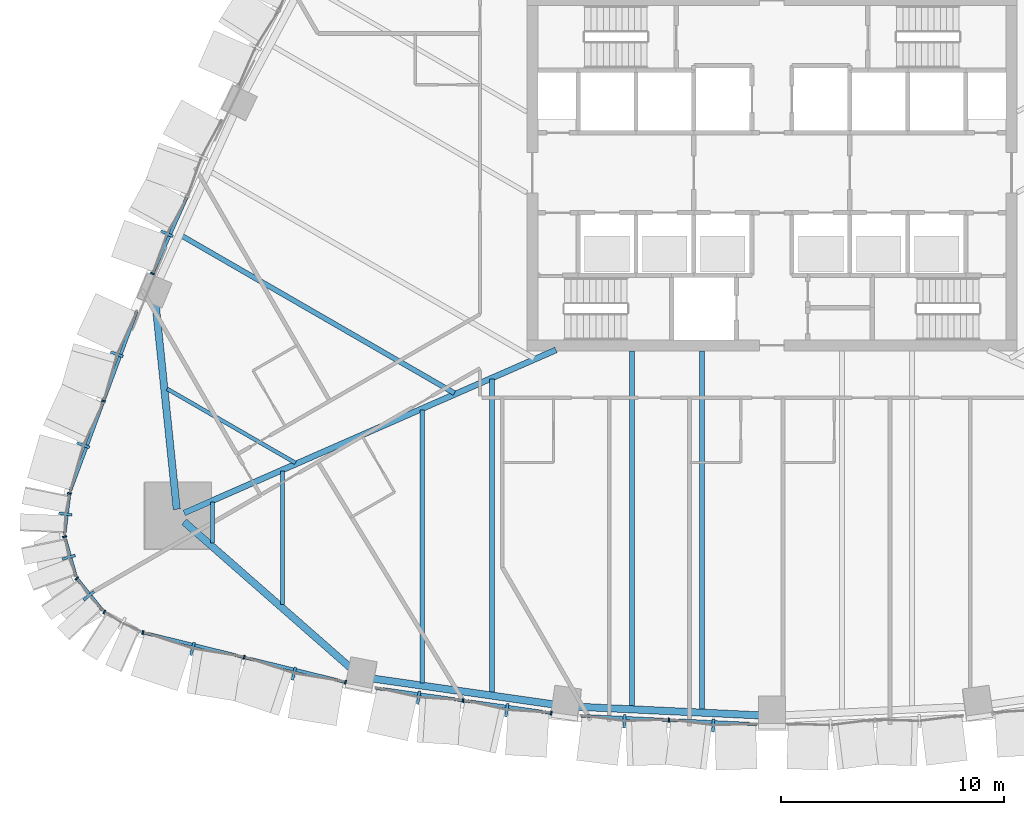
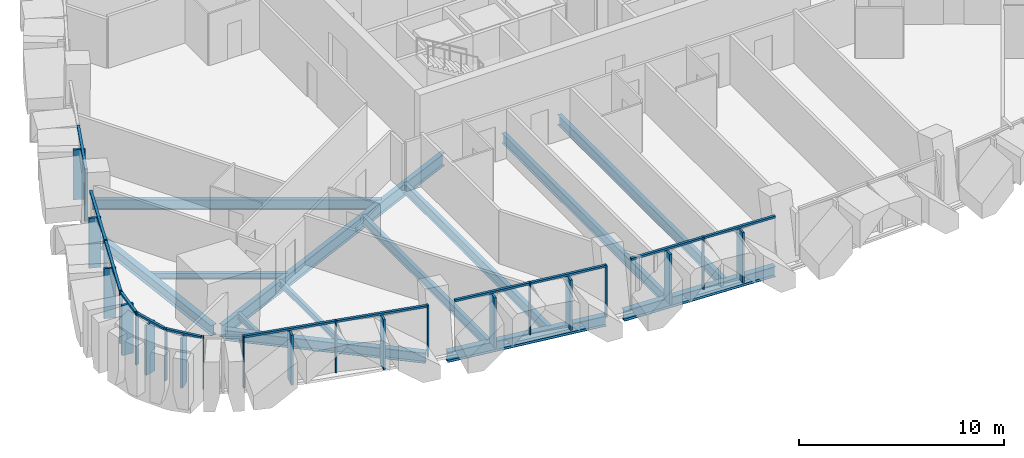
# One storey, part 2 of 22: 36 members, 13 beams, 9 elements without a shape of their own.
"""IFC4 building model written with IfcOpenShell, lengths in metres."""

from ifc_helpers import new_model, si_unit, direction, frame, origin, origin_2d, place, context, subcontext, project, spatial, rectangle, i_section, extrude, material, layer, layer_set, material_profile, profile_set, type_object, element, aggregate, save


model = new_model("IFC4")

# Units and contexts
model_context = context("Model", 3, precision=1e-05, world=origin(), true_north=direction((0.0, 1.0)))
body_context = subcontext(model_context, "Body", "Model", "MODEL_VIEW")
ifc_project = project(units=[si_unit("LENGTHUNIT", "METRE"), si_unit("AREAUNIT", "SQUARE_METRE"), si_unit("VOLUMEUNIT", "CUBIC_METRE"), si_unit("PLANEANGLEUNIT", "RADIAN"), si_unit("MASSUNIT", "GRAM", prefix="KILO")], contexts=[model_context])

# Site, building, storey
site_placement = place(None, origin())
site = spatial("IfcSite", under=ifc_project, at=site_placement, CompositionType="ELEMENT")
building_placement = place(site_placement, origin())
building = spatial("IfcBuilding", under=site, at=building_placement, Name="Sierra Prisma Convention Tower", CompositionType="ELEMENT")
storey_placement = place(building_placement, frame((0.0, 0.0, 66.5)))
storey = spatial("IfcBuildingStorey", under=building, at=storey_placement, Name="L12", CompositionType="ELEMENT", Elevation=66.5)

# Curtain wall, members
ifc_material_1 = material(Name="Aluminium and glass curtain wall", Category="aluminium")
ifc_layer = layer(ifc_material_1, 0.179931640625)
ifc_layer_set = layer_set([ifc_layer], Name="CW-2 Faceted crystal curtain wall")
curtain_wall_type = type_object("IfcCurtainWallType", Name="CW-2 Faceted crystal curtain wall", PredefinedType="NOTDEFINED", material=ifc_layer_set)
curtain_wall_1_placement = place(storey_placement, origin())
curtain_wall_1 = element("IfcCurtainWall", 1, at=curtain_wall_1_placement, inside=storey, type_object=curtain_wall_type, Name="CW-2 S1 L12", PredefinedType="NOTDEFINED")
ifc_material_2 = material(Name="Aluminium 6063-T6 bronze anodised", Category="aluminium")
ifc_material_profile_1 = material_profile(ifc_material_2, rectangle(XDim=0.1201171875, YDim=0.60009765625, at=origin_2d()), Name="ALU RIDGE BLADE 120x600")
ifc_profile_set_1 = profile_set([ifc_material_profile_1], Name="Aluminium 6063-T6 bronze anodised")
member_type_1 = type_object("IfcMemberType", Name="CW hip bronze", PredefinedType="MULLION", material=ifc_profile_set_1)
member_1_placement = place(storey_placement, frame((-25.99755859375, -21.36474609375, 0.0), z_axis=(0.0, 0.0, 1.0), x_axis=(0.971254936274, -0.238041695432, 0.0)))
member_1 = element("IfcMember", 2, at=member_1_placement, type_object=member_type_1, Name="CW-2 ridge S1.1", PredefinedType="MULLION", context=body_context, shape_type="SweptSolid", body=[
    extrude(rectangle(XDim=0.1201171875, YDim=0.60009765625, at=origin_2d()), origin(), (0.0, 0.0, 1.0), 2.97998046875),
])
member_2_placement = place(storey_placement, frame((-21.4501953125, -22.479248046875, 0.0), z_axis=(0.0, 0.0, 1.0), x_axis=(0.971254936274, -0.238041695432, 0.0)))
member_2 = element("IfcMember", 3, at=member_2_placement, type_object=member_type_1, Name="CW-2 ridge S1.2", PredefinedType="MULLION", context=body_context, shape_type="SweptSolid", body=[
    extrude(rectangle(XDim=0.1201171875, YDim=0.60009765625, at=origin_2d()), origin(), (0.0, 0.0, 1.0), 2.97998046875),
])

curtain_wall_2_placement = place(storey_placement, origin())
curtain_wall_2 = element("IfcCurtainWall", 4, at=curtain_wall_2_placement, inside=storey, type_object=curtain_wall_type, Name="CW-2 S2 L12", PredefinedType="NOTDEFINED")
member_3_placement = place(storey_placement, frame((-15.85888671875, -23.5537109375, 0.0), z_axis=(0.0, 0.0, 1.0), x_axis=(0.989998282909, -0.141079409682, 0.0)))
member_3 = element("IfcMember", 5, at=member_3_placement, type_object=member_type_1, Name="CW-2 ridge S2.1", PredefinedType="MULLION", context=body_context, shape_type="SweptSolid", body=[
    extrude(rectangle(XDim=0.1201171875, YDim=0.60009765625, at=origin_2d()), origin(), (0.0, 0.0, 1.0), 2.97998046875),
])
member_4_placement = place(storey_placement, frame((-11.9013671875, -24.11767578125, 0.0), z_axis=(0.0, 0.0, 1.0), x_axis=(0.989998282909, -0.141079409682, 0.0)))
member_4 = element("IfcMember", 6, at=member_4_placement, type_object=member_type_1, Name="CW-2 ridge S2.2", PredefinedType="MULLION", context=body_context, shape_type="SweptSolid", body=[
    extrude(rectangle(XDim=0.1201171875, YDim=0.60009765625, at=origin_2d()), origin(), (0.0, 0.0, 1.0), 2.97998046875),
])

curtain_wall_3_placement = place(storey_placement, origin())
curtain_wall_3 = element("IfcCurtainWall", 7, at=curtain_wall_3_placement, inside=storey, type_object=curtain_wall_type, Name="CW-2 S3 L12", PredefinedType="NOTDEFINED")
member_5_placement = place(storey_placement, frame((-6.6220703125, -24.618408203125, 0.0), z_axis=(0.0, 0.0, 1.0), x_axis=(0.998890441381, -0.047094438284, 0.0)))
member_5 = element("IfcMember", 8, at=member_5_placement, type_object=member_type_1, Name="CW-2 ridge S3.1", PredefinedType="MULLION", context=body_context, shape_type="SweptSolid", body=[
    extrude(rectangle(XDim=0.1201171875, YDim=0.60009765625, at=origin_2d()), origin(), (0.0, 0.0, 1.0), 2.97998046875),
])
member_6_placement = place(storey_placement, frame((-2.635009765625, -24.806396484375, 0.0), z_axis=(0.0, 0.0, 1.0), x_axis=(0.998890441381, -0.047094438284, 0.0)))
member_6 = element("IfcMember", 9, at=member_6_placement, type_object=member_type_1, Name="CW-2 ridge S3.2", PredefinedType="MULLION", context=body_context, shape_type="SweptSolid", body=[
    extrude(rectangle(XDim=0.1201171875, YDim=0.60009765625, at=origin_2d()), origin(), (0.0, 0.0, 1.0), 2.97998046875),
])

# Curtain wall, member
curtain_wall_4_placement = place(storey_placement, origin())
curtain_wall_4 = element("IfcCurtainWall", 10, at=curtain_wall_4_placement, inside=storey, type_object=curtain_wall_type, Name="CW-2 NW5 L12", PredefinedType="NOTDEFINED")
member_7_placement = place(storey_placement, frame((-27.151611328125, -2.7373046875, 0.0), z_axis=(0.0, 0.0, 1.0), x_axis=(-0.409132433355, -0.91247501444, 0.0)))
member_7 = element("IfcMember", 11, at=member_7_placement, type_object=member_type_1, Name="CW-2 ridge NW5.2", PredefinedType="MULLION", context=body_context, shape_type="SweptSolid", body=[
    extrude(rectangle(XDim=0.1201171875, YDim=0.60009765625, at=origin_2d()), origin(), (0.0, 0.0, 1.0), 2.97998046875),
])

# Curtain wall, members
curtain_wall_5_placement = place(storey_placement, origin())
curtain_wall_5 = element("IfcCurtainWall", 12, at=curtain_wall_5_placement, inside=storey, type_object=curtain_wall_type, Name="CW-2 NW6 L12", PredefinedType="NOTDEFINED")
member_8_placement = place(storey_placement, frame((-29.395751953125, -8.1474609375, 0.0), z_axis=(0.0, 0.0, 1.0), x_axis=(-0.347364051978, -0.937730353243, 0.0)))
member_8 = element("IfcMember", 13, at=member_8_placement, type_object=member_type_1, Name="CW-2 ridge NW6.1", PredefinedType="MULLION", context=body_context, shape_type="SweptSolid", body=[
    extrude(rectangle(XDim=0.1201171875, YDim=0.60009765625, at=origin_2d()), origin(), (0.0, 0.0, 1.0), 2.97998046875),
])
member_9_placement = place(storey_placement, frame((-30.906005859375, -12.224853515625, 0.0), z_axis=(0.0, 0.0, 1.0), x_axis=(-0.347364051978, -0.937730353243, 0.0)))
member_9 = element("IfcMember", 14, at=member_9_placement, type_object=member_type_1, Name="CW-2 ridge NW6.2", PredefinedType="MULLION", context=body_context, shape_type="SweptSolid", body=[
    extrude(rectangle(XDim=0.1201171875, YDim=0.60009765625, at=origin_2d()), origin(), (0.0, 0.0, 1.0), 2.97998046875),
])

# Curtain wall, member
curtain_wall_6_placement = place(storey_placement, origin())
curtain_wall_6 = element("IfcCurtainWall", 15, at=curtain_wall_6_placement, inside=storey, type_object=curtain_wall_type, Name="CW-2 SW1 L12", PredefinedType="NOTDEFINED")
member_10_placement = place(storey_placement, frame((-31.704833984375, -15.317138671875, 0.0), z_axis=(0.0, 0.0, 1.0), x_axis=(-0.121043372111, -0.992647219342, 0.0)))
member_10 = element("IfcMember", 16, at=member_10_placement, type_object=member_type_1, Name="CW-2 ridge SW1.1", PredefinedType="MULLION", context=body_context, shape_type="SweptSolid", body=[
    extrude(rectangle(XDim=0.1201171875, YDim=0.60009765625, at=origin_2d()), origin(), (0.0, 0.0, 1.0), 2.97998046875),
])

curtain_wall_7_placement = place(storey_placement, origin())
curtain_wall_7 = element("IfcCurtainWall", 17, at=curtain_wall_7_placement, inside=storey, type_object=curtain_wall_type, Name="CW-2 SW2 L12", PredefinedType="NOTDEFINED")
member_11_placement = place(storey_placement, frame((-31.552001953125, -17.25634765625, 0.0), z_axis=(0.0, 0.0, 1.0), x_axis=(0.27515422925, -0.96140009888, 0.0)))
member_11 = element("IfcMember", 18, at=member_11_placement, type_object=member_type_1, Name="CW-2 ridge SW2.1", PredefinedType="MULLION", context=body_context, shape_type="SweptSolid", body=[
    extrude(rectangle(XDim=0.1201171875, YDim=0.60009765625, at=origin_2d()), origin(), (0.0, 0.0, 1.0), 2.97998046875),
])

curtain_wall_8_placement = place(storey_placement, origin())
curtain_wall_8 = element("IfcCurtainWall", 19, at=curtain_wall_8_placement, inside=storey, type_object=curtain_wall_type, Name="CW-2 SW3 L12", PredefinedType="NOTDEFINED")
member_12_placement = place(storey_placement, frame((-30.65576171875, -18.98291015625, 0.0), z_axis=(0.0, 0.0, 1.0), x_axis=(0.627891516768, -0.778300869311, 0.0)))
member_12 = element("IfcMember", 20, at=member_12_placement, type_object=member_type_1, Name="CW-2 ridge SW3.1", PredefinedType="MULLION", context=body_context, shape_type="SweptSolid", body=[
    extrude(rectangle(XDim=0.1201171875, YDim=0.60009765625, at=origin_2d()), origin(), (0.0, 0.0, 1.0), 2.97998046875),
])

# Member
ifc_material_3 = material(Name="Aluminium 6063-T6 bronze anodised", Category="aluminium")
ifc_material_profile_2 = material_profile(ifc_material_3, rectangle(XDim=0.179931640625, YDim=0.070068359375, at=origin_2d()), Name="ALU MULLION 70x180")
ifc_profile_set_2 = profile_set([ifc_material_profile_2], Name="Aluminium 6063-T6 bronze anodised")
member_type_2 = type_object("IfcMemberType", Name="CW mullion bronze", PredefinedType="MULLION", material=ifc_profile_set_2)
member_13_placement = place(storey_placement, frame((-28.22802734375, -20.63134765625, 0.0), z_axis=(0.0, 0.0, 1.0), x_axis=(0.238041695432, 0.971254936274, 0.0)))
member_13 = element("IfcMember", 21, at=member_13_placement, type_object=member_type_2, Name="CW-1 mullion S1.1", PredefinedType="MULLION", context=body_context, shape_type="SweptSolid", body=[
    extrude(rectangle(XDim=0.179931640625, YDim=0.070068359375, at=origin_2d()), origin(), (0.0, 0.0, 1.0), 3.10009765625),
])

member_14_placement = place(storey_placement, frame((-23.6806640625, -21.745849609375, 0.0), z_axis=(0.0, 0.0, 1.0), x_axis=(0.238041695432, 0.971254936274, 0.0)))
member_14 = element("IfcMember", 22, at=member_14_placement, type_object=member_type_2, Name="CW-1 mullion S1.2", PredefinedType="MULLION", context=body_context, shape_type="SweptSolid", body=[
    extrude(rectangle(XDim=0.179931640625, YDim=0.070068359375, at=origin_2d()), origin(), (0.0, 0.0, 1.0), 3.10009765625),
])

member_15_placement = place(storey_placement, frame((-19.133544921875, -22.8603515625, 0.0), z_axis=(0.0, 0.0, 1.0), x_axis=(0.238041695432, 0.971254936274, 0.0)))
member_15 = element("IfcMember", 23, at=member_15_placement, type_object=member_type_2, Name="CW-1 mullion S1.3", PredefinedType="MULLION", context=body_context, shape_type="SweptSolid", body=[
    extrude(rectangle(XDim=0.179931640625, YDim=0.070068359375, at=origin_2d()), origin(), (0.0, 0.0, 1.0), 3.10009765625),
])

member_16_placement = place(storey_placement, frame((-13.8583984375, -23.6826171875, 0.0), z_axis=(0.0, 0.0, 1.0), x_axis=(0.141079409682, 0.989998282909, 0.0)))
member_16 = element("IfcMember", 24, at=member_16_placement, type_object=member_type_2, Name="CW-1 mullion S2.2", PredefinedType="MULLION", context=body_context, shape_type="SweptSolid", body=[
    extrude(rectangle(XDim=0.179931640625, YDim=0.070068359375, at=origin_2d()), origin(), (0.0, 0.0, 1.0), 3.10009765625),
])

member_17_placement = place(storey_placement, frame((-9.900634765625, -24.24658203125, 0.0), z_axis=(0.0, 0.0, 1.0), x_axis=(0.141079409682, 0.989998282909, 0.0)))
member_17 = element("IfcMember", 25, at=member_17_placement, type_object=member_type_2, Name="CW-1 mullion S2.3", PredefinedType="MULLION", context=body_context, shape_type="SweptSolid", body=[
    extrude(rectangle(XDim=0.179931640625, YDim=0.070068359375, at=origin_2d()), origin(), (0.0, 0.0, 1.0), 3.10009765625),
])

member_18_placement = place(storey_placement, frame((-4.621337890625, -24.558349609375, 0.0), z_axis=(0.0, 0.0, 1.0), x_axis=(0.047094438284, 0.998890441381, 0.0)))
member_18 = element("IfcMember", 26, at=member_18_placement, type_object=member_type_2, Name="CW-1 mullion S3.2", PredefinedType="MULLION", context=body_context, shape_type="SweptSolid", body=[
    extrude(rectangle(XDim=0.179931640625, YDim=0.070068359375, at=origin_2d()), origin(), (0.0, 0.0, 1.0), 3.10009765625),
])

member_19_placement = place(storey_placement, frame((-27.794189453125, -4.528076171875, 0.0), z_axis=(0.0, 0.0, 1.0), x_axis=(0.91247501444, -0.409132433355, 0.0)))
member_19 = element("IfcMember", 27, at=member_19_placement, type_object=member_type_2, Name="CW-1 mullion NW5.3", PredefinedType="MULLION", context=body_context, shape_type="SweptSolid", body=[
    extrude(rectangle(XDim=0.179931640625, YDim=0.070068359375, at=origin_2d()), origin(), (0.0, 0.0, 1.0), 3.10009765625),
])

member_20_placement = place(storey_placement, frame((-29.992919921875, -10.24462890625, 0.0), z_axis=(0.0, 0.0, 1.0), x_axis=(0.937730353243, -0.347364051978, 0.0)))
member_20 = element("IfcMember", 28, at=member_20_placement, type_object=member_type_2, Name="CW-1 mullion NW6.2", PredefinedType="MULLION", context=body_context, shape_type="SweptSolid", body=[
    extrude(rectangle(XDim=0.179931640625, YDim=0.070068359375, at=origin_2d()), origin(), (0.0, 0.0, 1.0), 3.10009765625),
])

member_21_placement = place(storey_placement, frame((-31.519775390625, -14.3896484375, 0.0), z_axis=(0.0, 0.0, 1.0), x_axis=(0.992647219342, -0.121043372111, 0.0)))
member_21 = element("IfcMember", 29, at=member_21_placement, type_object=member_type_2, Name="CW-1 mullion SW1.1", PredefinedType="MULLION", context=body_context, shape_type="SweptSolid", body=[
    extrude(rectangle(XDim=0.179931640625, YDim=0.070068359375, at=origin_2d()), origin(), (0.0, 0.0, 1.0), 3.10009765625),
])

member_22_placement = place(storey_placement, frame((-31.74267578125, -16.330078125, 0.0), z_axis=(0.0, 0.0, 1.0), x_axis=(0.96140009888, 0.27515422925, 0.0)))
member_22 = element("IfcMember", 30, at=member_22_placement, type_object=member_type_2, Name="CW-1 mullion SW2.1", PredefinedType="MULLION", context=body_context, shape_type="SweptSolid", body=[
    extrude(rectangle(XDim=0.179931640625, YDim=0.070068359375, at=origin_2d()), origin(), (0.0, 0.0, 1.0), 3.10009765625),
])

member_23_placement = place(storey_placement, frame((-31.192138671875, -18.2041015625, 0.0), z_axis=(0.0, 0.0, 1.0), x_axis=(0.778300869311, 0.627891516768, 0.0)))
member_23 = element("IfcMember", 31, at=member_23_placement, type_object=member_type_2, Name="CW-1 mullion SW3.1", PredefinedType="MULLION", context=body_context, shape_type="SweptSolid", body=[
    extrude(rectangle(XDim=0.179931640625, YDim=0.070068359375, at=origin_2d()), origin(), (0.0, 0.0, 1.0), 3.10009765625),
])

# Curtain wall, member
curtain_wall_9_placement = place(storey_placement, origin())
curtain_wall_9 = element("IfcCurtainWall", 32, at=curtain_wall_9_placement, inside=storey, type_object=curtain_wall_type, Name="CW-2 SW4 L12", PredefinedType="NOTDEFINED")
member_24_placement = place(storey_placement, frame((-29.955322265625, -19.7158203125, 0.0), z_axis=(0.0, 0.0, 1.0), x_axis=(0.472269856557, 0.881454016151, 0.0)))
member_24 = element("IfcMember", 33, at=member_24_placement, type_object=member_type_2, Name="CW-1 mullion SW4.1", PredefinedType="MULLION", context=body_context, shape_type="SweptSolid", body=[
    extrude(rectangle(XDim=0.179931640625, YDim=0.070068359375, at=origin_2d()), origin(), (0.0, 0.0, 1.0), 3.10009765625),
])
aggregate(curtain_wall_9, [member_24])

# Member
ifc_material_4 = material(Name="Aluminium 6063-T6 bronze anodised", Category="aluminium")
ifc_material_profile_3 = material_profile(ifc_material_4, rectangle(XDim=0.139892578125, YDim=0.1201171875, at=origin_2d()), Name="ALU TRANSOM 120x140")
ifc_profile_set_3 = profile_set([ifc_material_profile_3], Name="Aluminium 6063-T6 bronze anodised")
member_type_3 = type_object("IfcMemberType", Name="CW transom bronze", PredefinedType="USERDEFINED", material=ifc_profile_set_3)
member_25_placement = place(storey_placement, frame((-28.194091796875, -20.6396484375, 3.0400390625), z_axis=(0.971250116511, -0.238061360111, 0.0), x_axis=(0.238061360111, 0.971250116511, 0.0)))
member_25 = element("IfcMember", 34, at=member_25_placement, type_object=member_type_3, Name="CW-1 transom S1.1", ObjectType="TRANSOM", PredefinedType="USERDEFINED", context=body_context, shape_type="SweptSolid", body=[
    extrude(rectangle(XDim=0.139892578125, YDim=0.1201171875, at=origin_2d()), origin(), (0.0, 0.0, 1.0), 4.61181640625),
])

member_26_placement = place(storey_placement, frame((-23.646728515625, -21.754150390625, 3.0400390625), z_axis=(0.971262355511, -0.238011421506, 0.0), x_axis=(0.238011421506, 0.971262355511, 0.0)))
member_26 = element("IfcMember", 35, at=member_26_placement, type_object=member_type_3, Name="CW-1 transom S1.2", ObjectType="TRANSOM", PredefinedType="USERDEFINED", context=body_context, shape_type="SweptSolid", body=[
    extrude(rectangle(XDim=0.139892578125, YDim=0.1201171875, at=origin_2d()), origin(), (0.0, 0.0, 1.0), 4.61181640625),
])

aggregate(curtain_wall_1, [member_13, member_14, member_15, member_25, member_1, member_26, member_2])

member_27_placement = place(storey_placement, frame((-17.781494140625, -23.12353515625, 3.0400390625), z_axis=(0.98999543845, -0.1410993687, 0.0), x_axis=(0.1410993687, 0.98999543845, 0.0)))
member_27 = element("IfcMember", 36, at=member_27_placement, type_object=member_type_3, Name="CW-1 transom S2.1", ObjectType="TRANSOM", PredefinedType="USERDEFINED", context=body_context, shape_type="SweptSolid", body=[
    extrude(rectangle(XDim=0.139892578125, YDim=0.1201171875, at=origin_2d()), origin(), (0.0, 0.0, 1.0), 3.927734375),
])

member_28_placement = place(storey_placement, frame((-13.82373046875, -23.6875, 3.0400390625), z_axis=(0.98999543845, -0.1410993687, 0.0), x_axis=(0.1410993687, 0.98999543845, 0.0)))
member_28 = element("IfcMember", 37, at=member_28_placement, type_object=member_type_3, Name="CW-1 transom S2.2", ObjectType="TRANSOM", PredefinedType="USERDEFINED", context=body_context, shape_type="SweptSolid", body=[
    extrude(rectangle(XDim=0.139892578125, YDim=0.1201171875, at=origin_2d()), origin(), (0.0, 0.0, 1.0), 3.927734375),
])

aggregate(curtain_wall_2, [member_16, member_17, member_27, member_3, member_28, member_4])

member_29_placement = place(storey_placement, frame((-8.5732421875, -24.3720703125, 3.0400390625), z_axis=(0.998891678356, -0.047068194268, 0.0), x_axis=(0.047068194268, 0.998891678356, 0.0)))
member_29 = element("IfcMember", 38, at=member_29_placement, type_object=member_type_3, Name="CW-1 transom S3.1", ObjectType="TRANSOM", PredefinedType="USERDEFINED", context=body_context, shape_type="SweptSolid", body=[
    extrude(rectangle(XDim=0.139892578125, YDim=0.1201171875, at=origin_2d()), origin(), (0.0, 0.0, 1.0), 3.92138671875),
])

member_30_placement = place(storey_placement, frame((-4.586181640625, -24.559814453125, 3.0400390625), z_axis=(0.998888749238, -0.04713031558, 0.0), x_axis=(0.04713031558, 0.998888749238, 0.0)))
member_30 = element("IfcMember", 39, at=member_30_placement, type_object=member_type_3, Name="CW-1 transom S3.2", ObjectType="TRANSOM", PredefinedType="USERDEFINED", context=body_context, shape_type="SweptSolid", body=[
    extrude(rectangle(XDim=0.139892578125, YDim=0.1201171875, at=origin_2d()), origin(), (0.0, 0.0, 1.0), 3.92138671875),
])

aggregate(curtain_wall_3, [member_18, member_29, member_5, member_30, member_6])

member_31_placement = place(storey_placement, frame((-26.256103515625, -1.09814453125, 3.0400390625), z_axis=(-0.409134959192, -0.912473881909, 0.0), x_axis=(0.912473881909, -0.409134959192, 0.0)))
member_31 = element("IfcMember", 40, at=member_31_placement, type_object=member_type_3, Name="CW-1 transom NW5.2", ObjectType="TRANSOM", PredefinedType="USERDEFINED", context=body_context, shape_type="SweptSolid", body=[
    extrude(rectangle(XDim=0.139892578125, YDim=0.1201171875, at=origin_2d()), origin(), (0.0, 0.0, 1.0), 3.72412109375),
])

aggregate(curtain_wall_4, [member_19, member_31, member_7])

member_32_placement = place(storey_placement, frame((-28.49462890625, -6.199951171875, 3.0400390625), z_axis=(-0.347399845704, -0.937717093373, 0.0), x_axis=(0.937717093373, -0.347399845704, 0.0)))
member_32 = element("IfcMember", 41, at=member_32_placement, type_object=member_type_3, Name="CW-1 transom NW6.1", ObjectType="TRANSOM", PredefinedType="USERDEFINED", context=body_context, shape_type="SweptSolid", body=[
    extrude(rectangle(XDim=0.139892578125, YDim=0.1201171875, at=origin_2d()), origin(), (0.0, 0.0, 1.0), 4.2783203125),
])

member_33_placement = place(storey_placement, frame((-30.005126953125, -10.277587890625, 3.0400390625), z_axis=(-0.347368255907, -0.937728795968, 0.0), x_axis=(0.937728795968, -0.347368255907, 0.0)))
member_33 = element("IfcMember", 42, at=member_33_placement, type_object=member_type_3, Name="CW-1 transom NW6.2", ObjectType="TRANSOM", PredefinedType="USERDEFINED", context=body_context, shape_type="SweptSolid", body=[
    extrude(rectangle(XDim=0.139892578125, YDim=0.1201171875, at=origin_2d()), origin(), (0.0, 0.0, 1.0), 4.278076171875),
])

aggregate(curtain_wall_5, [member_20, member_32, member_8, member_33, member_9])

member_34_placement = place(storey_placement, frame((-31.524169921875, -14.424560546875, 3.0400390625), z_axis=(-0.121005906603, -0.992651787168, 0.0), x_axis=(0.992651787168, -0.121005906603, 0.0)))
member_34 = element("IfcMember", 43, at=member_34_placement, type_object=member_type_3, Name="CW-1 transom SW1.1", ObjectType="TRANSOM", PredefinedType="USERDEFINED", context=body_context, shape_type="SweptSolid", body=[
    extrude(rectangle(XDim=0.139892578125, YDim=0.1201171875, at=origin_2d()), origin(), (0.0, 0.0, 1.0), 1.81591796875),
])

aggregate(curtain_wall_6, [member_21, member_34, member_10])

member_35_placement = place(storey_placement, frame((-31.733154296875, -16.36376953125, 3.0400390625), z_axis=(0.275200515059, -0.961386850603, 0.0), x_axis=(0.961386850603, 0.275200515059, 0.0)))
member_35 = element("IfcMember", 44, at=member_35_placement, type_object=member_type_3, Name="CW-1 transom SW2.1", ObjectType="TRANSOM", PredefinedType="USERDEFINED", context=body_context, shape_type="SweptSolid", body=[
    extrude(rectangle(XDim=0.139892578125, YDim=0.1201171875, at=origin_2d()), origin(), (0.0, 0.0, 1.0), 1.81591796875),
])

aggregate(curtain_wall_7, [member_22, member_35, member_11])

member_36_placement = place(storey_placement, frame((-31.170166015625, -18.2314453125, 3.0400390625), z_axis=(0.627870700266, -0.778317662492, 0.0), x_axis=(0.778317662492, 0.627870700266, 0.0)))
member_36 = element("IfcMember", 45, at=member_36_placement, type_object=member_type_3, Name="CW-1 transom SW3.1", ObjectType="TRANSOM", PredefinedType="USERDEFINED", context=body_context, shape_type="SweptSolid", body=[
    extrude(rectangle(XDim=0.139892578125, YDim=0.1201171875, at=origin_2d()), origin(), (0.0, 0.0, 1.0), 1.81591796875),
])

aggregate(curtain_wall_8, [member_23, member_36, member_12])

# Beams
ifc_material_5 = material(Name="Steel ASTM A992 Gr 50", Category="steel")
ifc_material_profile_4 = material_profile(ifc_material_5, i_section(OverallWidth=0.172119140625, OverallDepth=0.35791015625, WebThickness=0.0078125, FlangeThickness=0.01318359375, at=origin_2d()), Name="W360x57")
ifc_profile_set_4 = profile_set([ifc_material_profile_4], Name="Steel ASTM A992 Gr 50")
beam_type_1 = type_object("IfcBeamType", Name="Floor joist W360x57", PredefinedType="JOIST", material=ifc_profile_set_4)
beam_1_placement = place(storey_placement, frame((-25.106689453125, -16.611572265625, -0.3291015625), z_axis=(0.0, 1.0, 0.0), x_axis=(-1.0, 0.0, 0.0)))
element("IfcBeam", 46, at=beam_1_placement, inside=storey, type_object=beam_type_1, Name="Floor joist L12 S01", PredefinedType="JOIST", context=body_context, shape_type="SweptSolid", body=[
    extrude(i_section(OverallWidth=0.172119140625, OverallDepth=0.35791015625, WebThickness=0.0078125, FlangeThickness=0.01318359375, at=origin_2d()), origin(), (0.0, 0.0, 1.0), 1.840576171875),
])
beam_2_placement = place(storey_placement, frame((-21.96826171875, -19.36474609375, -0.3291015625), z_axis=(0.0, 1.0, 0.0), x_axis=(-1.0, 0.0, 0.0)))
element("IfcBeam", 47, at=beam_2_placement, inside=storey, type_object=beam_type_1, Name="Floor joist L12 S02", PredefinedType="JOIST", context=body_context, shape_type="SweptSolid", body=[
    extrude(i_section(OverallWidth=0.172119140625, OverallDepth=0.35791015625, WebThickness=0.0078125, FlangeThickness=0.01318359375, at=origin_2d()), origin(), (0.0, 0.0, 1.0), 5.97021484375),
])
beam_3_placement = place(storey_placement, frame((-27.140625, -9.697265625, -0.3291015625), z_axis=(0.866031500321, -0.49998944034, 0.0), x_axis=(0.49998944034, 0.866031500321, 0.0)))
element("IfcBeam", 48, at=beam_3_placement, inside=storey, type_object=beam_type_1, Name="Floor joist L12 NW16", PredefinedType="JOIST", context=body_context, shape_type="SweptSolid", body=[
    extrude(i_section(OverallWidth=0.172119140625, OverallDepth=0.35791015625, WebThickness=0.0078125, FlangeThickness=0.01318359375, at=origin_2d()), origin(), (0.0, 0.0, 1.0), 6.649169921875),
])
ifc_material_6 = material(Name="Steel ASTM A992 Gr 50", Category="steel")
ifc_material_profile_5 = material_profile(ifc_material_6, i_section(OverallWidth=0.208984375, OverallDepth=0.532958984375, WebThickness=0.01025390625, FlangeThickness=0.015625, at=origin_2d()), Name="W530x92")
ifc_profile_set_5 = profile_set([ifc_material_profile_5], Name="Steel ASTM A992 Gr 50")
beam_type_2 = type_object("IfcBeamType", Name="Floor joist W530x92", PredefinedType="JOIST", material=ifc_profile_set_5)
beam_4_placement = place(storey_placement, frame((-15.691650390625, -22.901611328125, -0.41650390625), z_axis=(0.0, 1.0, 0.0), x_axis=(-1.0, 0.0, 0.0)))
element("IfcBeam", 49, at=beam_4_placement, inside=storey, type_object=beam_type_2, Name="Floor joist L12 S04", PredefinedType="JOIST", context=body_context, shape_type="SweptSolid", body=[
    extrude(i_section(OverallWidth=0.208984375, OverallDepth=0.532958984375, WebThickness=0.01025390625, FlangeThickness=0.015625, at=origin_2d()), origin(), (0.0, 0.0, 1.0), 12.259765625),
])
ifc_material_7 = material(Name="Steel ASTM A992 Gr 50", Category="steel")
ifc_material_profile_6 = material_profile(ifc_material_7, i_section(OverallWidth=0.22802734375, OverallDepth=0.60302734375, WebThickness=0.010498046875, FlangeThickness=0.014892578125, at=origin_2d()), Name="W610x101")
ifc_profile_set_6 = profile_set([ifc_material_profile_6], Name="Steel ASTM A992 Gr 50")
beam_type_3 = type_object("IfcBeamType", Name="Floor joist W610x101", PredefinedType="JOIST", material=ifc_profile_set_6)
beam_5_placement = place(storey_placement, frame((-12.55322265625, -23.3505859375, -0.451416015625), z_axis=(0.0, 1.0, 0.0), x_axis=(-1.0, 0.0, 0.0)))
element("IfcBeam", 50, at=beam_5_placement, inside=storey, type_object=beam_type_3, Name="Floor joist L12 S05", PredefinedType="JOIST", context=body_context, shape_type="SweptSolid", body=[
    extrude(i_section(OverallWidth=0.22802734375, OverallDepth=0.60302734375, WebThickness=0.010498046875, FlangeThickness=0.014892578125, at=origin_2d()), origin(), (0.0, 0.0, 1.0), 14.085205078125),
])
beam_6_placement = place(storey_placement, frame((-6.276611328125, -23.96630859375, -0.451416015625), z_axis=(0.0, 1.0, 0.0), x_axis=(-1.0, 0.0, 0.0)))
element("IfcBeam", 51, at=beam_6_placement, inside=storey, type_object=beam_type_3, Name="Floor joist L12 S07", PredefinedType="JOIST", context=body_context, shape_type="SweptSolid", body=[
    extrude(i_section(OverallWidth=0.22802734375, OverallDepth=0.60302734375, WebThickness=0.010498046875, FlangeThickness=0.014892578125, at=origin_2d()), origin(), (0.0, 0.0, 1.0), 15.96630859375),
])
beam_7_placement = place(storey_placement, frame((-3.138427734375, -24.114990234375, -0.451416015625), z_axis=(0.0, 1.0, 0.0), x_axis=(-1.0, 0.0, 0.0)))
element("IfcBeam", 52, at=beam_7_placement, inside=storey, type_object=beam_type_3, Name="Floor joist L12 S08", PredefinedType="JOIST", context=body_context, shape_type="SweptSolid", body=[
    extrude(i_section(OverallWidth=0.22802734375, OverallDepth=0.60302734375, WebThickness=0.010498046875, FlangeThickness=0.014892578125, at=origin_2d()), origin(), (0.0, 0.0, 1.0), 16.114990234375),
])
beam_8_placement = place(storey_placement, frame((-26.478759765625, -2.83154296875, -0.451416015625), z_axis=(0.866017462136, -0.500013755087, 0.0), x_axis=(0.500013755087, 0.866017462136, 0.0)))
element("IfcBeam", 53, at=beam_8_placement, inside=storey, type_object=beam_type_3, Name="Floor joist L12 NW14", PredefinedType="JOIST", context=body_context, shape_type="SweptSolid", body=[
    extrude(i_section(OverallWidth=0.22802734375, OverallDepth=0.60302734375, WebThickness=0.010498046875, FlangeThickness=0.014892578125, at=origin_2d()), origin(), (0.0, 0.0, 1.0), 14.12255859375),
])
ifc_material_8 = material(Name="Steel ASTM A992 Gr 50", Category="steel")
ifc_material_profile_7 = material_profile(ifc_material_8, i_section(OverallWidth=0.264892578125, OverallDepth=0.7529296875, WebThickness=0.01318359375, FlangeThickness=0.01708984375, at=origin_2d()), Name="W760x147")
ifc_profile_set_7 = profile_set([ifc_material_profile_7], Name="Steel ASTM A992 Gr 50")
beam_type_4 = type_object("IfcBeamType", Name="Radial girder W760x147", PredefinedType="BEAM", material=ifc_profile_set_7)
beam_9_placement = place(storey_placement, frame((-26.375732421875, -15.269775390625, -0.526611328125), z_axis=(0.915795299403, 0.401645328109, 0.0), x_axis=(-0.401645328109, 0.915795299403, 0.0)))
element("IfcBeam", 54, at=beam_9_placement, inside=storey, type_object=beam_type_4, Name="Radial girder L12 SW", PredefinedType="BEAM", context=body_context, shape_type="SweptSolid", body=[
    extrude(i_section(OverallWidth=0.264892578125, OverallDepth=0.7529296875, WebThickness=0.01318359375, FlangeThickness=0.01708984375, at=origin_2d()), origin(), (0.0, 0.0, 1.0), 18.2197265625),
])
ifc_material_9 = material(Name="Steel ASTM A992 Gr 50", Category="steel")
ifc_material_profile_8 = material_profile(ifc_material_9, i_section(OverallWidth=0.324951171875, OverallDepth=0.615966796875, WebThickness=0.013916015625, FlangeThickness=0.021484375, at=origin_2d()), Name="W610x174")
ifc_profile_set_8 = profile_set([ifc_material_profile_8], Name="Steel ASTM A992 Gr 50")
beam_type_5 = type_object("IfcBeamType", Name="Spandrel beam W610x174", PredefinedType="BEAM", material=ifc_profile_set_8)
beam_10_placement = place(storey_placement, frame((-26.375732421875, -15.66455078125, -0.4580078125), z_axis=(0.751749746207, -0.659448496152, 0.0), x_axis=(0.659448496152, 0.751749746207, 0.0)))
element("IfcBeam", 55, at=beam_10_placement, inside=storey, type_object=beam_type_5, Name="Spandrel L12-01", PredefinedType="BEAM", context=body_context, shape_type="SweptSolid", body=[
    extrude(i_section(OverallWidth=0.324951171875, OverallDepth=0.615966796875, WebThickness=0.013916015625, FlangeThickness=0.021484375, at=origin_2d()), origin(), (0.0, 0.0, 1.0), 9.974365234375),
])
beam_11_placement = place(storey_placement, frame((-17.96875, -22.68994140625, -0.4580078125), z_axis=(0.989915485623, -0.141659208394, 0.0), x_axis=(0.141659208394, 0.989915485623, 0.0)))
element("IfcBeam", 56, at=beam_11_placement, inside=storey, type_object=beam_type_5, Name="Spandrel L12-02", PredefinedType="BEAM", context=body_context, shape_type="SweptSolid", body=[
    extrude(i_section(OverallWidth=0.324951171875, OverallDepth=0.615966796875, WebThickness=0.013916015625, FlangeThickness=0.021484375, at=origin_2d()), origin(), (0.0, 0.0, 1.0), 8.33447265625),
])
beam_12_placement = place(storey_placement, frame((-8.762451171875, -23.96142578125, -0.4580078125), z_axis=(0.998881289469, -0.04728815443, 0.0), x_axis=(0.04728815443, 0.998881289469, 0.0)))
element("IfcBeam", 57, at=beam_12_placement, inside=storey, type_object=beam_type_5, Name="Spandrel L12-03", PredefinedType="BEAM", context=body_context, shape_type="SweptSolid", body=[
    extrude(i_section(OverallWidth=0.324951171875, OverallDepth=0.615966796875, WebThickness=0.013916015625, FlangeThickness=0.021484375, at=origin_2d()), origin(), (0.0, 0.0, 1.0), 8.29150390625),
])
beam_13_placement = place(storey_placement, frame((-27.65869140625, -5.854736328125, -0.4580078125), z_axis=(0.102405396175, -0.994742748068, 0.0), x_axis=(0.994742748068, 0.102405396175, 0.0)))
element("IfcBeam", 58, at=beam_13_placement, inside=storey, type_object=beam_type_5, Name="Spandrel L12-18", PredefinedType="BEAM", context=body_context, shape_type="SweptSolid", body=[
    extrude(i_section(OverallWidth=0.324951171875, OverallDepth=0.615966796875, WebThickness=0.013916015625, FlangeThickness=0.021484375, at=origin_2d()), origin(), (0.0, 0.0, 1.0), 9.29541015625),
])

save(model, "model.ifc")
